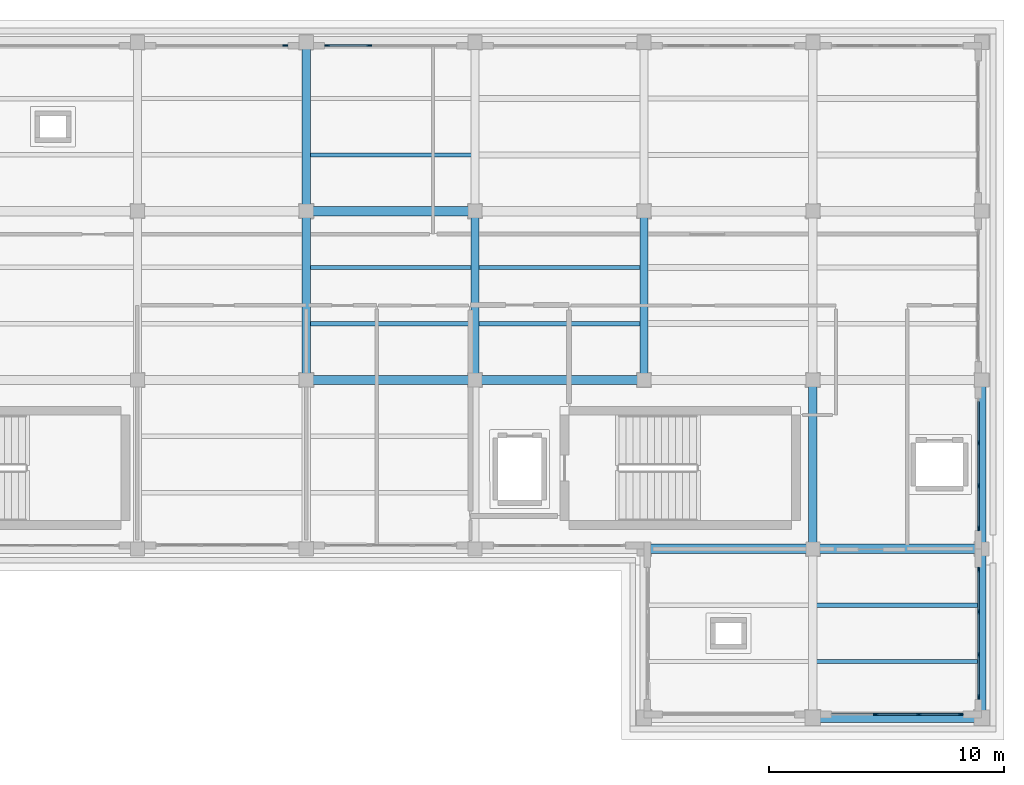
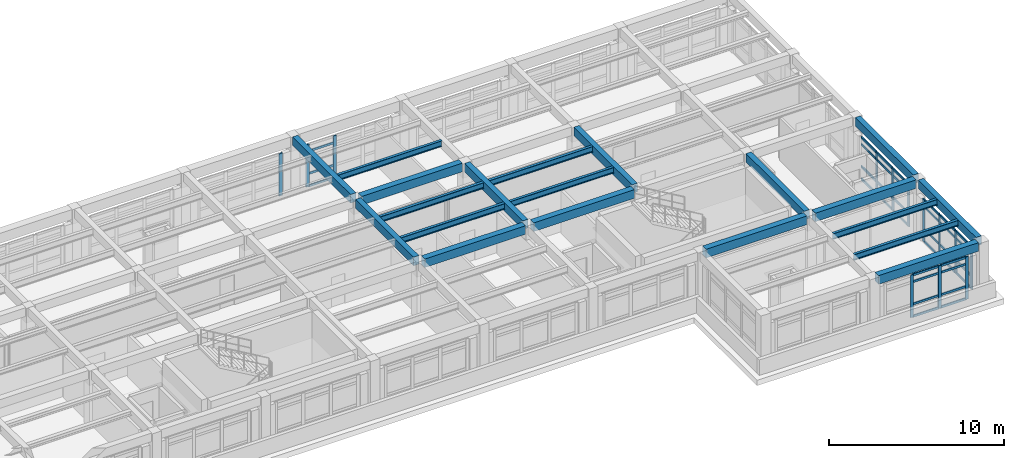
# One storey, part 8 of 19: 48 members, 20 beams, 5 elements without a shape of their own.
"""IFC4 building model written with IfcOpenShell, lengths in metres."""

from ifc_helpers import new_model, si_unit, direction, frame, origin, origin_2d, place, context, subcontext, project, spatial, rectangle, i_section, extrude, material, layer, layer_set, material_profile, profile_set, type_object, element, aggregate, save


model = new_model("IFC4")

# Units and contexts
model_context = context("Model", 3, precision=1e-05, world=origin(), true_north=direction((0.0, 1.0)))
body_context = subcontext(model_context, "Body", "Model", "MODEL_VIEW")
ifc_project = project(units=[si_unit("LENGTHUNIT", "METRE"), si_unit("AREAUNIT", "SQUARE_METRE"), si_unit("VOLUMEUNIT", "CUBIC_METRE"), si_unit("PLANEANGLEUNIT", "RADIAN"), si_unit("MASSUNIT", "GRAM", prefix="KILO")], contexts=[model_context])

# Site, building, storey
site_placement = place(None, origin())
site = spatial("IfcSite", under=ifc_project, at=site_placement, CompositionType="ELEMENT")
building_placement = place(site_placement, origin())
building = spatial("IfcBuilding", under=site, at=building_placement, Name="Solenvale Faculty of Natural Sciences", CompositionType="ELEMENT")
storey_placement = place(building_placement, frame((0.0, 0.0, 27.0)))
storey = spatial("IfcBuildingStorey", under=building, at=storey_placement, Name="L06", CompositionType="ELEMENT", Elevation=27.0)

# Beams
ifc_material_1 = material(Name="Concrete 40 MPa", Category="concrete")
ifc_material_profile_1 = material_profile(ifc_material_1, rectangle(XDim=0.35009765625, YDim=0.60009765625, at=origin_2d()), Name="RC-BM-350x600")
ifc_profile_set_1 = profile_set([ifc_material_profile_1], Name="Concrete 40 MPa")
beam_type_1 = type_object("IfcBeamType", Name="BM-RC-350x600", PredefinedType="BEAM", material=ifc_profile_set_1)
for number, where, z_axis, x_axis, name in (
    (1, (122.39990234375, 101.080078125, 3.6201171875), (0.0, 1.0, 0.0), (-1.0, 0.0, 0.0), "L06 Y-Girder X122.4 (100.8..108.0)"),
    (2, (122.39990234375, 108.280029296875, 3.6201171875), (0.0, 1.0, 0.0), (-1.0, 0.0, 0.0), "L06 Y-Girder X122.4 (108.0..115.2)"),
    (3, (129.60009765625, 101.080078125, 3.6201171875), (0.0, 1.0, 0.0), (-1.0, 0.0, 0.0), "L06 Y-Girder X129.6 (100.8..108.0)"),
    (4, (136.800048828125, 101.080078125, 3.6201171875), (0.0, 1.0, 0.0), (-1.0, 0.0, 0.0), "L06 Y-Girder X136.8 (100.8..108.0)"),
):
    element("IfcBeam", number, at=place(storey_placement, frame(where, z_axis=z_axis, x_axis=x_axis)), inside=storey, type_object=beam_type_1, Name=name, PredefinedType="BEAM", context=body_context, shape_type="SweptSolid", body=[
        extrude(rectangle(XDim=0.35009765625, YDim=0.60009765625, at=origin_2d()), origin(), (0.0, 0.0, 1.0), 6.639892578125),
    ])
beam_1_placement = place(storey_placement, frame((144.0, 93.8798828125, 3.6201171875), z_axis=(0.0, 1.0, 0.0), x_axis=(-1.0, 0.0, 0.0)))
element("IfcBeam", 5, at=beam_1_placement, inside=storey, type_object=beam_type_1, Name="L06 Y-Girder X144.0 (93.6..100.8)", PredefinedType="BEAM", context=body_context, shape_type="SweptSolid", body=[
    extrude(rectangle(XDim=0.35009765625, YDim=0.60009765625, at=origin_2d()), origin(), (0.0, 0.0, 1.0), 6.64013671875),
])
beam_2_placement = place(storey_placement, frame((151.199951171875, 86.705078125, 3.6201171875), z_axis=(0.0, 1.0, 0.0), x_axis=(-1.0, 0.0, 0.0)))
element("IfcBeam", 6, at=beam_2_placement, inside=storey, type_object=beam_type_1, Name="L06 Y-Girder X151.2 (86.4..93.6)", PredefinedType="BEAM", context=body_context, shape_type="SweptSolid", body=[
    extrude(rectangle(XDim=0.35009765625, YDim=0.60009765625, at=origin_2d()), origin(), (0.0, 0.0, 1.0), 6.614990234375),
])
beam_3_placement = place(storey_placement, frame((151.199951171875, 93.8798828125, 3.6201171875), z_axis=(0.0, 1.0, 0.0), x_axis=(-1.0, 0.0, 0.0)))
element("IfcBeam", 7, at=beam_3_placement, inside=storey, type_object=beam_type_1, Name="L06 Y-Girder X151.2 (93.6..100.8)", PredefinedType="BEAM", context=body_context, shape_type="SweptSolid", body=[
    extrude(rectangle(XDim=0.35009765625, YDim=0.60009765625, at=origin_2d()), origin(), (0.0, 0.0, 1.0), 6.64013671875),
])
ifc_material_profile_2 = material_profile(ifc_material_1, rectangle(XDim=0.39990234375, YDim=0.60009765625, at=origin_2d()), Name="RC-BM-400x600")
ifc_profile_set_2 = profile_set([ifc_material_profile_2], Name="Concrete 40 MPa")
beam_type_2 = type_object("IfcBeamType", Name="BM-RC-400x600", PredefinedType="BEAM", material=ifc_profile_set_2)
beam_4_placement = place(storey_placement, frame((144.304931640625, 86.39990234375, 3.6201171875), z_axis=(1.0, 0.0, 0.0), x_axis=(0.0, 1.0, 0.0)))
element("IfcBeam", 8, at=beam_4_placement, inside=storey, type_object=beam_type_2, Name="L06 X-Girder Y86.4 (144.0..151.2)", PredefinedType="BEAM", context=body_context, shape_type="SweptSolid", body=[
    extrude(rectangle(XDim=0.39990234375, YDim=0.60009765625, at=origin_2d()), origin(), (0.0, 0.0, 1.0), 6.590087890625),
])
for number, where, z_axis, x_axis, name in (
    (9, (137.080078125, 93.60009765625, 3.6201171875), (1.0, 0.0, 0.0), (0.0, 1.0, 0.0), "L06 X-Girder Y93.6 (136.8..144.0)"),
    (10, (144.280029296875, 93.60009765625, 3.6201171875), (1.0, 0.0, 0.0), (0.0, 1.0, 0.0), "L06 X-Girder Y93.6 (144.0..151.2)"),
):
    element("IfcBeam", number, at=place(storey_placement, frame(where, z_axis=z_axis, x_axis=x_axis)), inside=storey, type_object=beam_type_2, Name=name, PredefinedType="BEAM", context=body_context, shape_type="SweptSolid", body=[
        extrude(rectangle(XDim=0.39990234375, YDim=0.60009765625, at=origin_2d()), origin(), (0.0, 0.0, 1.0), 6.639892578125),
    ])
for number, where, z_axis, x_axis, name in (
    (11, (122.679931640625, 100.800048828125, 3.6201171875), (1.0, 0.0, 0.0), (0.0, 1.0, 0.0), "L06 X-Girder Y100.8 (122.4..129.6)"),
    (12, (129.8798828125, 100.800048828125, 3.6201171875), (1.0, 0.0, 0.0), (0.0, 1.0, 0.0), "L06 X-Girder Y100.8 (129.6..136.8)"),
    (13, (122.679931640625, 108.0, 3.6201171875), (1.0, 0.0, 0.0), (0.0, 1.0, 0.0), "L06 X-Girder Y108.0 (122.4..129.6)"),
):
    element("IfcBeam", number, at=place(storey_placement, frame(where, z_axis=z_axis, x_axis=x_axis)), inside=storey, type_object=beam_type_2, Name=name, PredefinedType="BEAM", context=body_context, shape_type="SweptSolid", body=[
        extrude(rectangle(XDim=0.39990234375, YDim=0.60009765625, at=origin_2d()), origin(), (0.0, 0.0, 1.0), 6.64013671875),
    ])
ifc_material_2 = material(Name="Steel S355", Category="steel")
ifc_material_profile_3 = material_profile(ifc_material_2, i_section(OverallWidth=0.178955078125, OverallDepth=0.409912109375, WebThickness=0.0087890625, FlangeThickness=0.014404296875, FilletRadius=0.01611328125, at=origin_2d()), Name="W410x67")
ifc_profile_set_3 = profile_set([ifc_material_profile_3], Name="Steel S355")
beam_type_3 = type_object("IfcBeamType", Name="BM-STL-W410x67", PredefinedType="JOIST", material=ifc_profile_set_3)
for number, where, z_axis, x_axis, name in (
    (14, (122.554931640625, 110.39990234375, 3.715087890625), (1.0, 0.0, 0.0), (0.0, 1.0, 0.0), "L06 Composite Floor Joist (18,16).1"),
    (15, (129.7548828125, 103.199951171875, 3.715087890625), (1.0, 0.0, 0.0), (0.0, 1.0, 0.0), "L06 Composite Floor Joist (19,15).1"),
    (16, (129.7548828125, 105.60009765625, 3.715087890625), (1.0, 0.0, 0.0), (0.0, 1.0, 0.0), "L06 Composite Floor Joist (19,15).2"),
):
    element("IfcBeam", number, at=place(storey_placement, frame(where, z_axis=z_axis, x_axis=x_axis)), inside=storey, type_object=beam_type_3, Name=name, PredefinedType="JOIST", context=body_context, shape_type="SweptSolid", body=[
        extrude(i_section(OverallWidth=0.178955078125, OverallDepth=0.409912109375, WebThickness=0.0087890625, FlangeThickness=0.014404296875, FilletRadius=0.01611328125, at=origin_2d()), origin(), (0.0, 0.0, 1.0), 6.89013671875),
    ])
for number, where, z_axis, x_axis, name in (
    (17, (144.155029296875, 88.800048828125, 3.715087890625), (1.0, 0.0, 0.0), (0.0, 1.0, 0.0), "L06 Composite Floor Joist (21,13).1"),
    (18, (144.155029296875, 91.199951171875, 3.715087890625), (1.0, 0.0, 0.0), (0.0, 1.0, 0.0), "L06 Composite Floor Joist (21,13).2"),
):
    element("IfcBeam", number, at=place(storey_placement, frame(where, z_axis=z_axis, x_axis=x_axis)), inside=storey, type_object=beam_type_3, Name=name, PredefinedType="JOIST", context=body_context, shape_type="SweptSolid", body=[
        extrude(i_section(OverallWidth=0.178955078125, OverallDepth=0.409912109375, WebThickness=0.0087890625, FlangeThickness=0.014404296875, FilletRadius=0.01611328125, at=origin_2d()), origin(), (0.0, 0.0, 1.0), 6.889892578125),
    ])
ifc_material_profile_4 = material_profile(ifc_material_2, i_section(OverallWidth=0.180908203125, OverallDepth=0.4169921875, WebThickness=0.010986328125, FlangeThickness=0.018310546875, FilletRadius=0.01611328125, at=origin_2d()), Name="W410x85")
ifc_profile_set_4 = profile_set([ifc_material_profile_4], Name="Steel S355")
beam_type_4 = type_object("IfcBeamType", Name="BM-STL-W410x85", PredefinedType="JOIST", material=ifc_profile_set_4)
for number, where, z_axis, x_axis, name in (
    (19, (122.554931640625, 103.199951171875, 3.71142578125), (1.0, 0.0, 0.0), (0.0, 1.0, 0.0), "L06 Composite Floor Joist (18,15).1"),
    (20, (122.554931640625, 105.60009765625, 3.71142578125), (1.0, 0.0, 0.0), (0.0, 1.0, 0.0), "L06 Composite Floor Joist (18,15).2"),
):
    element("IfcBeam", number, at=place(storey_placement, frame(where, z_axis=z_axis, x_axis=x_axis)), inside=storey, type_object=beam_type_4, Name=name, PredefinedType="JOIST", context=body_context, shape_type="SweptSolid", body=[
        extrude(i_section(OverallWidth=0.180908203125, OverallDepth=0.4169921875, WebThickness=0.010986328125, FlangeThickness=0.018310546875, FilletRadius=0.01611328125, at=origin_2d()), origin(), (0.0, 0.0, 1.0), 6.89013671875),
    ])

# Curtain wall, members
ifc_material_3 = material(Name="Anodised bronze aluminium", Category="aluminium")
ifc_layer = layer(ifc_material_3, 0.179931640625)
ifc_layer_set = layer_set([ifc_layer], Name="Anodised bronze aluminium")
curtain_wall_type = type_object("IfcCurtainWallType", Name="CW-TWR-MOD", PredefinedType="USERDEFINED", material=ifc_layer_set)
curtain_wall_1_placement = place(storey_placement, origin())
curtain_wall_1 = element("IfcCurtainWall", 21, at=curtain_wall_1_placement, inside=storey, type_object=curtain_wall_type, Name="L06 Curtain Wall CW-L06-P1-E1-B1", ObjectType="UNITISED CURTAIN WALL", PredefinedType="USERDEFINED")
ifc_material_profile_5 = material_profile(ifc_material_3, rectangle(XDim=0.074951171875, YDim=0.2099609375, at=origin_2d()), Name="ALU-MUL-75x210")
ifc_profile_set_5 = profile_set([ifc_material_profile_5], Name="Anodised bronze aluminium")
member_type_1 = type_object("IfcMemberType", Name="CWM-ALU-75x210", PredefinedType="MULLION", material=ifc_profile_set_5)
member_1_placement = place(storey_placement, frame((151.0576171875, 94.487548828125, 0.0), z_axis=(0.0, 0.0, 1.0), x_axis=(-1.0, 0.0, 0.0)))
member_1 = element("IfcMember", 22, at=member_1_placement, type_object=member_type_1, Name="CW-04 mullion 1", PredefinedType="MULLION", context=body_context, shape_type="SweptSolid", body=[
    extrude(rectangle(XDim=0.074951171875, YDim=0.2099609375, at=origin_2d()), origin(), (0.0, 0.0, 1.0), 2.9599609375),
])
member_2_placement = place(storey_placement, frame((151.0576171875, 96.283447265625, 0.0), z_axis=(0.0, 0.0, 1.0), x_axis=(-1.0, 0.0, 0.0)))
member_2 = element("IfcMember", 23, at=member_2_placement, type_object=member_type_1, Name="CW-04 mullion 2", PredefinedType="MULLION", context=body_context, shape_type="SweptSolid", body=[
    extrude(rectangle(XDim=0.074951171875, YDim=0.2099609375, at=origin_2d()), origin(), (0.0, 0.0, 1.0), 2.9599609375),
])
member_3_placement = place(storey_placement, frame((151.0576171875, 98.11669921875, 0.0), z_axis=(0.0, 0.0, 1.0), x_axis=(-1.0, 0.0, 0.0)))
member_3 = element("IfcMember", 24, at=member_3_placement, type_object=member_type_1, Name="CW-04 mullion 3", PredefinedType="MULLION", context=body_context, shape_type="SweptSolid", body=[
    extrude(rectangle(XDim=0.074951171875, YDim=0.2099609375, at=origin_2d()), origin(), (0.0, 0.0, 1.0), 2.9599609375),
])

curtain_wall_2_placement = place(storey_placement, origin())
curtain_wall_2 = element("IfcCurtainWall", 25, at=curtain_wall_2_placement, inside=storey, type_object=curtain_wall_type, Name="L06 Curtain Wall CW-L06-P1-E2-B4", ObjectType="UNITISED CURTAIN WALL", PredefinedType="USERDEFINED")
member_4_placement = place(storey_placement, frame((125.083251953125, 115.0576171875, 0.0), z_axis=(0.0, 0.0, 1.0), x_axis=(0.0, -1.0, 0.0)))
member_4 = element("IfcMember", 26, at=member_4_placement, type_object=member_type_1, Name="CW-04 mullion 3", PredefinedType="MULLION", context=body_context, shape_type="SweptSolid", body=[
    extrude(rectangle(XDim=0.074951171875, YDim=0.2099609375, at=origin_2d()), origin(), (0.0, 0.0, 1.0), 2.9599609375),
])
member_5_placement = place(storey_placement, frame((123.28759765625, 115.0576171875, 0.0), z_axis=(0.0, 0.0, 1.0), x_axis=(0.0, -1.0, 0.0)))
member_5 = element("IfcMember", 27, at=member_5_placement, type_object=member_type_1, Name="CW-04 mullion 4", PredefinedType="MULLION", context=body_context, shape_type="SweptSolid", body=[
    extrude(rectangle(XDim=0.074951171875, YDim=0.2099609375, at=origin_2d()), origin(), (0.0, 0.0, 1.0), 2.9599609375),
])

# Curtain wall, member
curtain_wall_3_placement = place(storey_placement, origin())
curtain_wall_3 = element("IfcCurtainWall", 28, at=curtain_wall_3_placement, inside=storey, type_object=curtain_wall_type, Name="L06 Curtain Wall CW-L06-P1-E2-B5", ObjectType="UNITISED CURTAIN WALL", PredefinedType="USERDEFINED")
member_6_placement = place(storey_placement, frame((121.512451171875, 115.0576171875, 0.0), z_axis=(0.0, 0.0, 1.0), x_axis=(0.0, -1.0, 0.0)))
member_6 = element("IfcMember", 29, at=member_6_placement, type_object=member_type_1, Name="CW-04 mullion 1", PredefinedType="MULLION", context=body_context, shape_type="SweptSolid", body=[
    extrude(rectangle(XDim=0.074951171875, YDim=0.2099609375, at=origin_2d()), origin(), (0.0, 0.0, 1.0), 2.9599609375),
])
aggregate(curtain_wall_3, [member_6])

# Curtain wall, members
curtain_wall_4_placement = place(storey_placement, origin())
curtain_wall_4 = element("IfcCurtainWall", 30, at=curtain_wall_4_placement, inside=storey, type_object=curtain_wall_type, Name="L06 Curtain Wall CW-L06-P1-E6-B2", ObjectType="UNITISED CURTAIN WALL", PredefinedType="USERDEFINED")
member_7_placement = place(storey_placement, frame((146.683349609375, 86.54248046875, 0.0), z_axis=(0.0, 0.0, 1.0), x_axis=(0.0, 1.0, 0.0)))
member_7 = element("IfcMember", 31, at=member_7_placement, type_object=member_type_1, Name="CW-04 mullion 2", PredefinedType="MULLION", context=body_context, shape_type="SweptSolid", body=[
    extrude(rectangle(XDim=0.074951171875, YDim=0.2099609375, at=origin_2d()), origin(), (0.0, 0.0, 1.0), 2.9599609375),
])
member_8_placement = place(storey_placement, frame((148.5166015625, 86.54248046875, 0.0), z_axis=(0.0, 0.0, 1.0), x_axis=(0.0, 1.0, 0.0)))
member_8 = element("IfcMember", 32, at=member_8_placement, type_object=member_type_1, Name="CW-04 mullion 3", PredefinedType="MULLION", context=body_context, shape_type="SweptSolid", body=[
    extrude(rectangle(XDim=0.074951171875, YDim=0.2099609375, at=origin_2d()), origin(), (0.0, 0.0, 1.0), 2.9599609375),
])
member_9_placement = place(storey_placement, frame((150.3125, 86.54248046875, 0.0), z_axis=(0.0, 0.0, 1.0), x_axis=(0.0, 1.0, 0.0)))
member_9 = element("IfcMember", 33, at=member_9_placement, type_object=member_type_1, Name="CW-04 mullion 4", PredefinedType="MULLION", context=body_context, shape_type="SweptSolid", body=[
    extrude(rectangle(XDim=0.074951171875, YDim=0.2099609375, at=origin_2d()), origin(), (0.0, 0.0, 1.0), 2.9599609375),
])

curtain_wall_5_placement = place(storey_placement, origin())
curtain_wall_5 = element("IfcCurtainWall", 34, at=curtain_wall_5_placement, inside=storey, type_object=curtain_wall_type, Name="L06 Curtain Wall CW-L06-P1-E7-B1", ObjectType="UNITISED CURTAIN WALL", PredefinedType="USERDEFINED")
member_10_placement = place(storey_placement, frame((151.0576171875, 87.28759765625, 0.0), z_axis=(0.0, 0.0, 1.0), x_axis=(-1.0, 0.0, 0.0)))
member_10 = element("IfcMember", 35, at=member_10_placement, type_object=member_type_1, Name="CW-04 mullion 1", PredefinedType="MULLION", context=body_context, shape_type="SweptSolid", body=[
    extrude(rectangle(XDim=0.074951171875, YDim=0.2099609375, at=origin_2d()), origin(), (0.0, 0.0, 1.0), 2.9599609375),
])
member_11_placement = place(storey_placement, frame((151.0576171875, 89.083251953125, 0.0), z_axis=(0.0, 0.0, 1.0), x_axis=(-1.0, 0.0, 0.0)))
member_11 = element("IfcMember", 36, at=member_11_placement, type_object=member_type_1, Name="CW-04 mullion 2", PredefinedType="MULLION", context=body_context, shape_type="SweptSolid", body=[
    extrude(rectangle(XDim=0.074951171875, YDim=0.2099609375, at=origin_2d()), origin(), (0.0, 0.0, 1.0), 2.9599609375),
])
member_12_placement = place(storey_placement, frame((151.0576171875, 90.916748046875, 0.0), z_axis=(0.0, 0.0, 1.0), x_axis=(-1.0, 0.0, 0.0)))
member_12 = element("IfcMember", 37, at=member_12_placement, type_object=member_type_1, Name="CW-04 mullion 3", PredefinedType="MULLION", context=body_context, shape_type="SweptSolid", body=[
    extrude(rectangle(XDim=0.074951171875, YDim=0.2099609375, at=origin_2d()), origin(), (0.0, 0.0, 1.0), 2.9599609375),
])
member_13_placement = place(storey_placement, frame((151.0576171875, 92.71240234375, 0.0), z_axis=(0.0, 0.0, 1.0), x_axis=(-1.0, 0.0, 0.0)))
member_13 = element("IfcMember", 38, at=member_13_placement, type_object=member_type_1, Name="CW-04 mullion 4", PredefinedType="MULLION", context=body_context, shape_type="SweptSolid", body=[
    extrude(rectangle(XDim=0.074951171875, YDim=0.2099609375, at=origin_2d()), origin(), (0.0, 0.0, 1.0), 2.9599609375),
])

# Member
ifc_material_profile_6 = material_profile(ifc_material_3, rectangle(XDim=0.074951171875, YDim=0.155029296875, at=origin_2d()), Name="ALU-TRN-75x155")
ifc_profile_set_6 = profile_set([ifc_material_profile_6], Name="Anodised bronze aluminium")
member_type_2 = type_object("IfcMemberType", Name="CWT-ALU-75x155", PredefinedType="USERDEFINED", material=ifc_profile_set_6)
member_14_placement = place(storey_placement, frame((151.0576171875, 94.52490234375, 0.03759765625), z_axis=(0.0, 1.0, 0.0), x_axis=(-1.0, 0.0, 0.0)))
member_14 = element("IfcMember", 39, at=member_14_placement, type_object=member_type_2, Name="CW-04 transom 1.1", ObjectType="TRANSOM", PredefinedType="USERDEFINED", context=body_context, shape_type="SweptSolid", body=[
    extrude(rectangle(XDim=0.074951171875, YDim=0.155029296875, at=origin_2d()), origin(), (0.0, 0.0, 1.0), 1.720947265625),
])

member_15_placement = place(storey_placement, frame((151.0576171875, 94.52490234375, 0.89990234375), z_axis=(0.0, 1.0, 0.0), x_axis=(-1.0, 0.0, 0.0)))
member_15 = element("IfcMember", 40, at=member_15_placement, type_object=member_type_2, Name="CW-04 transom 1.2", ObjectType="TRANSOM", PredefinedType="USERDEFINED", context=body_context, shape_type="SweptSolid", body=[
    extrude(rectangle(XDim=0.074951171875, YDim=0.155029296875, at=origin_2d()), origin(), (0.0, 0.0, 1.0), 1.720947265625),
])

member_16_placement = place(storey_placement, frame((151.0576171875, 94.52490234375, 2.4599609375), z_axis=(0.0, 1.0, 0.0), x_axis=(-1.0, 0.0, 0.0)))
member_16 = element("IfcMember", 41, at=member_16_placement, type_object=member_type_2, Name="CW-04 transom 1.3", ObjectType="TRANSOM", PredefinedType="USERDEFINED", context=body_context, shape_type="SweptSolid", body=[
    extrude(rectangle(XDim=0.074951171875, YDim=0.155029296875, at=origin_2d()), origin(), (0.0, 0.0, 1.0), 1.720947265625),
])

member_17_placement = place(storey_placement, frame((151.0576171875, 94.52490234375, 2.922607421875), z_axis=(0.0, 1.0, 0.0), x_axis=(-1.0, 0.0, 0.0)))
member_17 = element("IfcMember", 42, at=member_17_placement, type_object=member_type_2, Name="CW-04 transom 1.4", ObjectType="TRANSOM", PredefinedType="USERDEFINED", context=body_context, shape_type="SweptSolid", body=[
    extrude(rectangle(XDim=0.074951171875, YDim=0.155029296875, at=origin_2d()), origin(), (0.0, 0.0, 1.0), 1.720947265625),
])

member_18_placement = place(storey_placement, frame((151.0576171875, 96.32080078125, 0.03759765625), z_axis=(0.0, 1.0, 0.0), x_axis=(-1.0, 0.0, 0.0)))
member_18 = element("IfcMember", 43, at=member_18_placement, type_object=member_type_2, Name="CW-04 transom 2.1", ObjectType="TRANSOM", PredefinedType="USERDEFINED", context=body_context, shape_type="SweptSolid", body=[
    extrude(rectangle(XDim=0.074951171875, YDim=0.155029296875, at=origin_2d()), origin(), (0.0, 0.0, 1.0), 1.75830078125),
])

member_19_placement = place(storey_placement, frame((151.0576171875, 96.32080078125, 0.89990234375), z_axis=(0.0, 1.0, 0.0), x_axis=(-1.0, 0.0, 0.0)))
member_19 = element("IfcMember", 44, at=member_19_placement, type_object=member_type_2, Name="CW-04 transom 2.2", ObjectType="TRANSOM", PredefinedType="USERDEFINED", context=body_context, shape_type="SweptSolid", body=[
    extrude(rectangle(XDim=0.074951171875, YDim=0.155029296875, at=origin_2d()), origin(), (0.0, 0.0, 1.0), 1.75830078125),
])

member_20_placement = place(storey_placement, frame((151.0576171875, 96.32080078125, 2.4599609375), z_axis=(0.0, 1.0, 0.0), x_axis=(-1.0, 0.0, 0.0)))
member_20 = element("IfcMember", 45, at=member_20_placement, type_object=member_type_2, Name="CW-04 transom 2.3", ObjectType="TRANSOM", PredefinedType="USERDEFINED", context=body_context, shape_type="SweptSolid", body=[
    extrude(rectangle(XDim=0.074951171875, YDim=0.155029296875, at=origin_2d()), origin(), (0.0, 0.0, 1.0), 1.75830078125),
])

member_21_placement = place(storey_placement, frame((151.0576171875, 96.32080078125, 2.922607421875), z_axis=(0.0, 1.0, 0.0), x_axis=(-1.0, 0.0, 0.0)))
member_21 = element("IfcMember", 46, at=member_21_placement, type_object=member_type_2, Name="CW-04 transom 2.4", ObjectType="TRANSOM", PredefinedType="USERDEFINED", context=body_context, shape_type="SweptSolid", body=[
    extrude(rectangle(XDim=0.074951171875, YDim=0.155029296875, at=origin_2d()), origin(), (0.0, 0.0, 1.0), 1.75830078125),
])

member_22_placement = place(storey_placement, frame((151.0576171875, 98.154052734375, 0.03759765625), z_axis=(0.0, 1.0, 0.0), x_axis=(-1.0, 0.0, 0.0)))
member_22 = element("IfcMember", 47, at=member_22_placement, type_object=member_type_2, Name="CW-04 transom 3.1", ObjectType="TRANSOM", PredefinedType="USERDEFINED", context=body_context, shape_type="SweptSolid", body=[
    extrude(rectangle(XDim=0.074951171875, YDim=0.155029296875, at=origin_2d()), origin(), (0.0, 0.0, 1.0), 1.720947265625),
])

member_23_placement = place(storey_placement, frame((151.0576171875, 98.154052734375, 0.89990234375), z_axis=(0.0, 1.0, 0.0), x_axis=(-1.0, 0.0, 0.0)))
member_23 = element("IfcMember", 48, at=member_23_placement, type_object=member_type_2, Name="CW-04 transom 3.2", ObjectType="TRANSOM", PredefinedType="USERDEFINED", context=body_context, shape_type="SweptSolid", body=[
    extrude(rectangle(XDim=0.074951171875, YDim=0.155029296875, at=origin_2d()), origin(), (0.0, 0.0, 1.0), 1.720947265625),
])

member_24_placement = place(storey_placement, frame((151.0576171875, 98.154052734375, 2.4599609375), z_axis=(0.0, 1.0, 0.0), x_axis=(-1.0, 0.0, 0.0)))
member_24 = element("IfcMember", 49, at=member_24_placement, type_object=member_type_2, Name="CW-04 transom 3.3", ObjectType="TRANSOM", PredefinedType="USERDEFINED", context=body_context, shape_type="SweptSolid", body=[
    extrude(rectangle(XDim=0.074951171875, YDim=0.155029296875, at=origin_2d()), origin(), (0.0, 0.0, 1.0), 1.720947265625),
])

member_25_placement = place(storey_placement, frame((151.0576171875, 98.154052734375, 2.922607421875), z_axis=(0.0, 1.0, 0.0), x_axis=(-1.0, 0.0, 0.0)))
member_25 = element("IfcMember", 50, at=member_25_placement, type_object=member_type_2, Name="CW-04 transom 3.4", ObjectType="TRANSOM", PredefinedType="USERDEFINED", context=body_context, shape_type="SweptSolid", body=[
    extrude(rectangle(XDim=0.074951171875, YDim=0.155029296875, at=origin_2d()), origin(), (0.0, 0.0, 1.0), 1.720947265625),
])

aggregate(curtain_wall_1, [member_1, member_2, member_3, member_14, member_15, member_16, member_17, member_18, member_19, member_20, member_21, member_22, member_23, member_24, member_25])

member_26_placement = place(storey_placement, frame((125.0458984375, 115.0576171875, 0.03759765625), z_axis=(-1.0, 0.0, 0.0), x_axis=(0.0, -1.0, 0.0)))
member_26 = element("IfcMember", 51, at=member_26_placement, type_object=member_type_2, Name="CW-04 transom 3.1", ObjectType="TRANSOM", PredefinedType="USERDEFINED", context=body_context, shape_type="SweptSolid", body=[
    extrude(rectangle(XDim=0.074951171875, YDim=0.155029296875, at=origin_2d()), origin(), (0.0, 0.0, 1.0), 1.720947265625),
])

member_27_placement = place(storey_placement, frame((125.0458984375, 115.0576171875, 0.89990234375), z_axis=(-1.0, 0.0, 0.0), x_axis=(0.0, -1.0, 0.0)))
member_27 = element("IfcMember", 52, at=member_27_placement, type_object=member_type_2, Name="CW-04 transom 3.2", ObjectType="TRANSOM", PredefinedType="USERDEFINED", context=body_context, shape_type="SweptSolid", body=[
    extrude(rectangle(XDim=0.074951171875, YDim=0.155029296875, at=origin_2d()), origin(), (0.0, 0.0, 1.0), 1.720947265625),
])

member_28_placement = place(storey_placement, frame((125.0458984375, 115.0576171875, 2.4599609375), z_axis=(-1.0, 0.0, 0.0), x_axis=(0.0, -1.0, 0.0)))
member_28 = element("IfcMember", 53, at=member_28_placement, type_object=member_type_2, Name="CW-04 transom 3.3", ObjectType="TRANSOM", PredefinedType="USERDEFINED", context=body_context, shape_type="SweptSolid", body=[
    extrude(rectangle(XDim=0.074951171875, YDim=0.155029296875, at=origin_2d()), origin(), (0.0, 0.0, 1.0), 1.720947265625),
])

aggregate(curtain_wall_2, [member_4, member_5, member_26, member_27, member_28])

member_29_placement = place(storey_placement, frame((146.720947265625, 86.54248046875, 0.03759765625), z_axis=(1.0, 0.0, 0.0), x_axis=(0.0, 1.0, 0.0)))
member_29 = element("IfcMember", 54, at=member_29_placement, type_object=member_type_2, Name="CW-04 transom 2.1", ObjectType="TRANSOM", PredefinedType="USERDEFINED", context=body_context, shape_type="SweptSolid", body=[
    extrude(rectangle(XDim=0.074951171875, YDim=0.155029296875, at=origin_2d()), origin(), (0.0, 0.0, 1.0), 1.75830078125),
])

member_30_placement = place(storey_placement, frame((146.720947265625, 86.54248046875, 0.89990234375), z_axis=(1.0, 0.0, 0.0), x_axis=(0.0, 1.0, 0.0)))
member_30 = element("IfcMember", 55, at=member_30_placement, type_object=member_type_2, Name="CW-04 transom 2.2", ObjectType="TRANSOM", PredefinedType="USERDEFINED", context=body_context, shape_type="SweptSolid", body=[
    extrude(rectangle(XDim=0.074951171875, YDim=0.155029296875, at=origin_2d()), origin(), (0.0, 0.0, 1.0), 1.75830078125),
])

member_31_placement = place(storey_placement, frame((146.720947265625, 86.54248046875, 2.4599609375), z_axis=(1.0, 0.0, 0.0), x_axis=(0.0, 1.0, 0.0)))
member_31 = element("IfcMember", 56, at=member_31_placement, type_object=member_type_2, Name="CW-04 transom 2.3", ObjectType="TRANSOM", PredefinedType="USERDEFINED", context=body_context, shape_type="SweptSolid", body=[
    extrude(rectangle(XDim=0.074951171875, YDim=0.155029296875, at=origin_2d()), origin(), (0.0, 0.0, 1.0), 1.75830078125),
])

member_32_placement = place(storey_placement, frame((146.720947265625, 86.54248046875, 2.922607421875), z_axis=(1.0, 0.0, 0.0), x_axis=(0.0, 1.0, 0.0)))
member_32 = element("IfcMember", 57, at=member_32_placement, type_object=member_type_2, Name="CW-04 transom 2.4", ObjectType="TRANSOM", PredefinedType="USERDEFINED", context=body_context, shape_type="SweptSolid", body=[
    extrude(rectangle(XDim=0.074951171875, YDim=0.155029296875, at=origin_2d()), origin(), (0.0, 0.0, 1.0), 1.75830078125),
])

member_33_placement = place(storey_placement, frame((148.55419921875, 86.54248046875, 0.03759765625), z_axis=(1.0, 0.0, 0.0), x_axis=(0.0, 1.0, 0.0)))
member_33 = element("IfcMember", 58, at=member_33_placement, type_object=member_type_2, Name="CW-04 transom 3.1", ObjectType="TRANSOM", PredefinedType="USERDEFINED", context=body_context, shape_type="SweptSolid", body=[
    extrude(rectangle(XDim=0.074951171875, YDim=0.155029296875, at=origin_2d()), origin(), (0.0, 0.0, 1.0), 1.720703125),
])

member_34_placement = place(storey_placement, frame((148.55419921875, 86.54248046875, 0.89990234375), z_axis=(1.0, 0.0, 0.0), x_axis=(0.0, 1.0, 0.0)))
member_34 = element("IfcMember", 59, at=member_34_placement, type_object=member_type_2, Name="CW-04 transom 3.2", ObjectType="TRANSOM", PredefinedType="USERDEFINED", context=body_context, shape_type="SweptSolid", body=[
    extrude(rectangle(XDim=0.074951171875, YDim=0.155029296875, at=origin_2d()), origin(), (0.0, 0.0, 1.0), 1.720703125),
])

member_35_placement = place(storey_placement, frame((148.55419921875, 86.54248046875, 2.4599609375), z_axis=(1.0, 0.0, 0.0), x_axis=(0.0, 1.0, 0.0)))
member_35 = element("IfcMember", 60, at=member_35_placement, type_object=member_type_2, Name="CW-04 transom 3.3", ObjectType="TRANSOM", PredefinedType="USERDEFINED", context=body_context, shape_type="SweptSolid", body=[
    extrude(rectangle(XDim=0.074951171875, YDim=0.155029296875, at=origin_2d()), origin(), (0.0, 0.0, 1.0), 1.720703125),
])

member_36_placement = place(storey_placement, frame((148.55419921875, 86.54248046875, 2.922607421875), z_axis=(1.0, 0.0, 0.0), x_axis=(0.0, 1.0, 0.0)))
member_36 = element("IfcMember", 61, at=member_36_placement, type_object=member_type_2, Name="CW-04 transom 3.4", ObjectType="TRANSOM", PredefinedType="USERDEFINED", context=body_context, shape_type="SweptSolid", body=[
    extrude(rectangle(XDim=0.074951171875, YDim=0.155029296875, at=origin_2d()), origin(), (0.0, 0.0, 1.0), 1.720703125),
])

aggregate(curtain_wall_4, [member_7, member_8, member_9, member_29, member_30, member_31, member_32, member_33, member_34, member_35, member_36])

member_37_placement = place(storey_placement, frame((151.0576171875, 87.324951171875, 0.03759765625), z_axis=(0.0, 1.0, 0.0), x_axis=(-1.0, 0.0, 0.0)))
member_37 = element("IfcMember", 62, at=member_37_placement, type_object=member_type_2, Name="CW-04 transom 1.1", ObjectType="TRANSOM", PredefinedType="USERDEFINED", context=body_context, shape_type="SweptSolid", body=[
    extrude(rectangle(XDim=0.074951171875, YDim=0.155029296875, at=origin_2d()), origin(), (0.0, 0.0, 1.0), 1.720947265625),
])

member_38_placement = place(storey_placement, frame((151.0576171875, 87.324951171875, 0.89990234375), z_axis=(0.0, 1.0, 0.0), x_axis=(-1.0, 0.0, 0.0)))
member_38 = element("IfcMember", 63, at=member_38_placement, type_object=member_type_2, Name="CW-04 transom 1.2", ObjectType="TRANSOM", PredefinedType="USERDEFINED", context=body_context, shape_type="SweptSolid", body=[
    extrude(rectangle(XDim=0.074951171875, YDim=0.155029296875, at=origin_2d()), origin(), (0.0, 0.0, 1.0), 1.720947265625),
])

member_39_placement = place(storey_placement, frame((151.0576171875, 87.324951171875, 2.4599609375), z_axis=(0.0, 1.0, 0.0), x_axis=(-1.0, 0.0, 0.0)))
member_39 = element("IfcMember", 64, at=member_39_placement, type_object=member_type_2, Name="CW-04 transom 1.3", ObjectType="TRANSOM", PredefinedType="USERDEFINED", context=body_context, shape_type="SweptSolid", body=[
    extrude(rectangle(XDim=0.074951171875, YDim=0.155029296875, at=origin_2d()), origin(), (0.0, 0.0, 1.0), 1.720947265625),
])

member_40_placement = place(storey_placement, frame((151.0576171875, 87.324951171875, 2.922607421875), z_axis=(0.0, 1.0, 0.0), x_axis=(-1.0, 0.0, 0.0)))
member_40 = element("IfcMember", 65, at=member_40_placement, type_object=member_type_2, Name="CW-04 transom 1.4", ObjectType="TRANSOM", PredefinedType="USERDEFINED", context=body_context, shape_type="SweptSolid", body=[
    extrude(rectangle(XDim=0.074951171875, YDim=0.155029296875, at=origin_2d()), origin(), (0.0, 0.0, 1.0), 1.720947265625),
])

member_41_placement = place(storey_placement, frame((151.0576171875, 89.120849609375, 0.03759765625), z_axis=(0.0, 1.0, 0.0), x_axis=(-1.0, 0.0, 0.0)))
member_41 = element("IfcMember", 66, at=member_41_placement, type_object=member_type_2, Name="CW-04 transom 2.1", ObjectType="TRANSOM", PredefinedType="USERDEFINED", context=body_context, shape_type="SweptSolid", body=[
    extrude(rectangle(XDim=0.074951171875, YDim=0.155029296875, at=origin_2d()), origin(), (0.0, 0.0, 1.0), 1.75830078125),
])

member_42_placement = place(storey_placement, frame((151.0576171875, 89.120849609375, 0.89990234375), z_axis=(0.0, 1.0, 0.0), x_axis=(-1.0, 0.0, 0.0)))
member_42 = element("IfcMember", 67, at=member_42_placement, type_object=member_type_2, Name="CW-04 transom 2.2", ObjectType="TRANSOM", PredefinedType="USERDEFINED", context=body_context, shape_type="SweptSolid", body=[
    extrude(rectangle(XDim=0.074951171875, YDim=0.155029296875, at=origin_2d()), origin(), (0.0, 0.0, 1.0), 1.75830078125),
])

member_43_placement = place(storey_placement, frame((151.0576171875, 89.120849609375, 2.4599609375), z_axis=(0.0, 1.0, 0.0), x_axis=(-1.0, 0.0, 0.0)))
member_43 = element("IfcMember", 68, at=member_43_placement, type_object=member_type_2, Name="CW-04 transom 2.3", ObjectType="TRANSOM", PredefinedType="USERDEFINED", context=body_context, shape_type="SweptSolid", body=[
    extrude(rectangle(XDim=0.074951171875, YDim=0.155029296875, at=origin_2d()), origin(), (0.0, 0.0, 1.0), 1.75830078125),
])

member_44_placement = place(storey_placement, frame((151.0576171875, 89.120849609375, 2.922607421875), z_axis=(0.0, 1.0, 0.0), x_axis=(-1.0, 0.0, 0.0)))
member_44 = element("IfcMember", 69, at=member_44_placement, type_object=member_type_2, Name="CW-04 transom 2.4", ObjectType="TRANSOM", PredefinedType="USERDEFINED", context=body_context, shape_type="SweptSolid", body=[
    extrude(rectangle(XDim=0.074951171875, YDim=0.155029296875, at=origin_2d()), origin(), (0.0, 0.0, 1.0), 1.75830078125),
])

member_45_placement = place(storey_placement, frame((151.0576171875, 90.9541015625, 0.03759765625), z_axis=(0.0, 1.0, 0.0), x_axis=(-1.0, 0.0, 0.0)))
member_45 = element("IfcMember", 70, at=member_45_placement, type_object=member_type_2, Name="CW-04 transom 3.1", ObjectType="TRANSOM", PredefinedType="USERDEFINED", context=body_context, shape_type="SweptSolid", body=[
    extrude(rectangle(XDim=0.074951171875, YDim=0.155029296875, at=origin_2d()), origin(), (0.0, 0.0, 1.0), 1.720947265625),
])

member_46_placement = place(storey_placement, frame((151.0576171875, 90.9541015625, 0.89990234375), z_axis=(0.0, 1.0, 0.0), x_axis=(-1.0, 0.0, 0.0)))
member_46 = element("IfcMember", 71, at=member_46_placement, type_object=member_type_2, Name="CW-04 transom 3.2", ObjectType="TRANSOM", PredefinedType="USERDEFINED", context=body_context, shape_type="SweptSolid", body=[
    extrude(rectangle(XDim=0.074951171875, YDim=0.155029296875, at=origin_2d()), origin(), (0.0, 0.0, 1.0), 1.720947265625),
])

member_47_placement = place(storey_placement, frame((151.0576171875, 90.9541015625, 2.4599609375), z_axis=(0.0, 1.0, 0.0), x_axis=(-1.0, 0.0, 0.0)))
member_47 = element("IfcMember", 72, at=member_47_placement, type_object=member_type_2, Name="CW-04 transom 3.3", ObjectType="TRANSOM", PredefinedType="USERDEFINED", context=body_context, shape_type="SweptSolid", body=[
    extrude(rectangle(XDim=0.074951171875, YDim=0.155029296875, at=origin_2d()), origin(), (0.0, 0.0, 1.0), 1.720947265625),
])

member_48_placement = place(storey_placement, frame((151.0576171875, 90.9541015625, 2.922607421875), z_axis=(0.0, 1.0, 0.0), x_axis=(-1.0, 0.0, 0.0)))
member_48 = element("IfcMember", 73, at=member_48_placement, type_object=member_type_2, Name="CW-04 transom 3.4", ObjectType="TRANSOM", PredefinedType="USERDEFINED", context=body_context, shape_type="SweptSolid", body=[
    extrude(rectangle(XDim=0.074951171875, YDim=0.155029296875, at=origin_2d()), origin(), (0.0, 0.0, 1.0), 1.720947265625),
])

aggregate(curtain_wall_5, [member_10, member_11, member_12, member_13, member_37, member_38, member_39, member_40, member_41, member_42, member_43, member_44, member_45, member_46, member_47, member_48])

save(model, "model.ifc")
